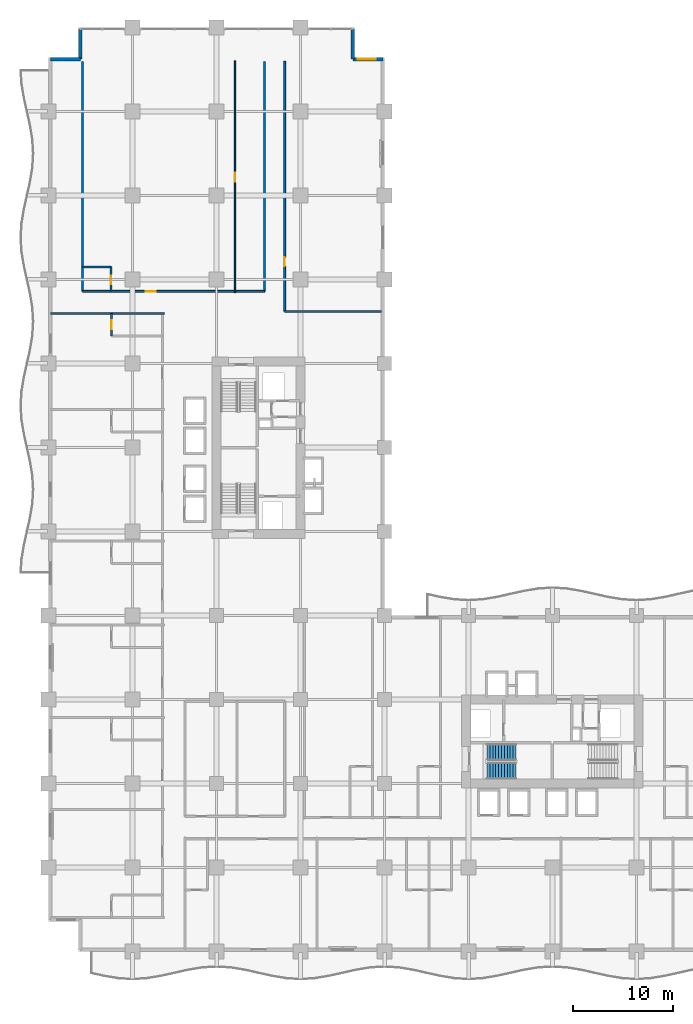
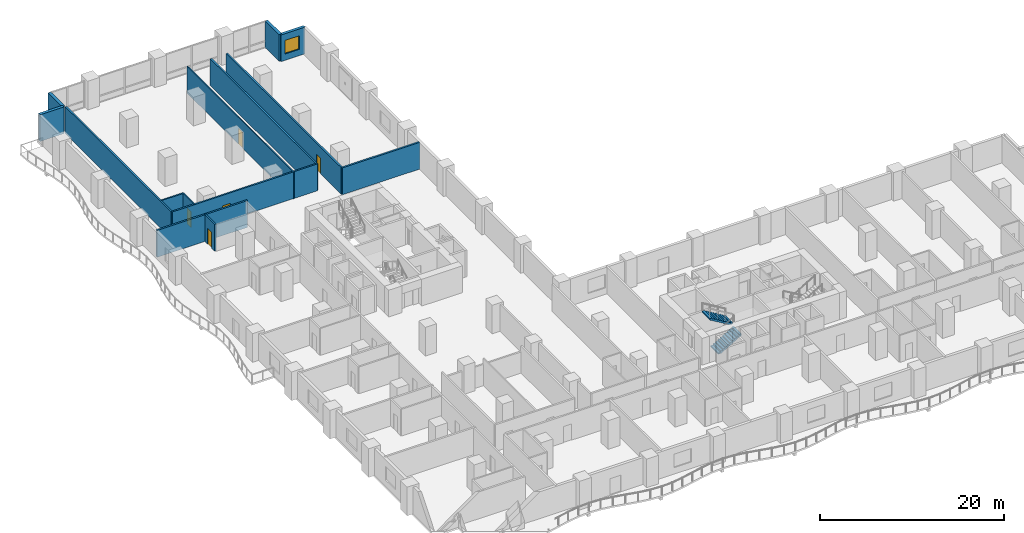
# One storey, part 16 of 24: 14 walls, 5 doors, 2 stair flights, 1 window, 6 openings, 1 element without a shape of its own.
"""IFC4 building model written with IfcOpenShell, lengths in metres."""

from ifc_helpers import new_model, si_unit, direction, frame, frame_2d, origin, place, context, subcontext, project, spatial, polyline, rectangle, outline, extrude, material, layer, layer_set, type_object, element, fill, aggregate, save


model = new_model("IFC4")

# Units and contexts
model_context = context("Model", 3, precision=1e-05, world=origin(), true_north=direction((0.0, 1.0)))
body_context = subcontext(model_context, "Body", "Model", "MODEL_VIEW")
ifc_project = project(units=[si_unit("LENGTHUNIT", "METRE"), si_unit("AREAUNIT", "SQUARE_METRE"), si_unit("VOLUMEUNIT", "CUBIC_METRE"), si_unit("PLANEANGLEUNIT", "RADIAN"), si_unit("MASSUNIT", "GRAM", prefix="KILO")], contexts=[model_context])

# Site, building, storey
site_placement = place(None, origin())
site = spatial("IfcSite", under=ifc_project, at=site_placement, CompositionType="ELEMENT")
building_placement = place(site_placement, origin())
building = spatial("IfcBuilding", under=site, at=building_placement, Name="Koriwani Terraces Tower", CompositionType="ELEMENT")
storey_placement = place(building_placement, frame((0.0, 0.0, 47.199951171875)))
storey = spatial("IfcBuildingStorey", under=building, at=storey_placement, Name="L10", CompositionType="ELEMENT", Elevation=47.199951171875)

# Wall, opening, door
ifc_material_1 = material(Name="Autoclaved Cellular Concrete Blockwork", Category="masonry")
ifc_layer_1 = layer(ifc_material_1, 0.199951171875, Name="Autoclaved Cellular Concrete Blockwork")
ifc_layer_set_1 = layer_set([ifc_layer_1], Name="Autoclaved Cellular Concrete Blockwork")
wall_type_1 = type_object("IfcWallType", Name="WALL_CORRIDOR_200", PredefinedType="PARTITIONING", material=ifc_layer_set_1)
wall_1_placement = place(storey_placement, frame((3.39990234375, 66.0, 0.0), z_axis=(0.0, 0.0, 1.0), x_axis=(1.0, 0.0, 0.0)))
wall_1 = element("IfcWall", 1, at=wall_1_placement, inside=storey, type_object=wall_type_1, Name="L10 Interior Wall WGB-L10-NTIP-S", PredefinedType="PARTITIONING", context=body_context, shape_type="SweptSolid", body=[
    extrude(rectangle(XDim=18.2001953125, YDim=0.199951171875, at=frame_2d((9.10009765625, 0.0))), origin(), (0.0, 0.0, 1.0), 3.550048828125),
])
opening_1_placement = place(wall_1_placement, frame((6.300048828125, 0.0, 0.0)))
opening_1 = element("IfcOpeningElement", 2, at=opening_1_placement, cuts=wall_1, Name="Opening D-05", PredefinedType="OPENING", context=body_context, shape_type="SweptSolid", body=[
    extrude(rectangle(XDim=1.0, YDim=2.14990234375, at=frame_2d((0.5, 1.074951171875))), frame((0.0, 0.10986328125, 0.0), z_axis=(0.0, -1.0, 0.0), x_axis=(1.0, 0.0, 0.0)), (0.0, 0.0, 1.0), 0.219970703125),
])
ifc_material_2 = material(Name="Architectural Oak Fire Door", Category="wood")
door_type_1 = type_object("IfcDoorType", Name="DOOR_SUITE_ENTRY_1000X2150", OperationType="NOTDEFINED", PredefinedType="DOOR", material=ifc_material_2)
door_1_placement = place(opening_1_placement, origin())
door_1 = element("IfcDoor", 3, at=door_1_placement, inside=storey, type_object=door_type_1, Name="Presidential Wing Suite 10N Entrance Door", OperationType="SINGLE_SWING_RIGHT", OverallHeight=2.14990234375, OverallWidth=1.0, PredefinedType="DOOR", context=body_context, shape_type="SweptSolid", body=[
    extrude(rectangle(XDim=1.0, YDim=2.14990234375, at=frame_2d((0.5, 1.074951171875))), frame((0.0, 0.02490234375, 0.0), z_axis=(0.0, -1.0, 0.0), x_axis=(1.0, 0.0, 0.0)), (0.0, 0.0, 1.0), 0.050048828125),
])
fill(opening_1, door_1)

wall_2_placement = place(storey_placement, frame((23.60009765625, 64.0, 0.0), z_axis=(0.0, 0.0, 1.0), x_axis=(0.0, 1.0, 0.0)))
wall_2 = element("IfcWall", 4, at=wall_2_placement, inside=storey, type_object=wall_type_1, Name="L10 Interior Wall WNTIP2-W-L10", PredefinedType="PARTITIONING", context=body_context, shape_type="SweptSolid", body=[
    extrude(rectangle(XDim=25.0, YDim=0.199951171875, at=frame_2d((12.5, 0.0))), origin(), (0.0, 0.0, 1.0), 3.550048828125),
])
opening_2_placement = place(wall_2_placement, frame((4.5, 0.0, 0.0)))
opening_2 = element("IfcOpeningElement", 5, at=opening_2_placement, cuts=wall_2, Name="Opening D-06", PredefinedType="OPENING", context=body_context, shape_type="SweptSolid", body=[
    extrude(rectangle(XDim=0.919921875, YDim=2.10009765625, at=frame_2d((0.4599609375, 1.050048828125))), frame((0.0, 0.10986328125, 0.0), z_axis=(0.0, -1.0, 0.0), x_axis=(1.0, 0.0, 0.0)), (0.0, 0.0, 1.0), 0.219970703125),
])
door_type_2 = type_object("IfcDoorType", Name="DOOR_ROOM_INT_920X2100", OperationType="NOTDEFINED", PredefinedType="DOOR", material=ifc_material_2)
door_2_placement = place(opening_2_placement, origin())
door_2 = element("IfcDoor", 6, at=door_2_placement, inside=storey, type_object=door_type_2, Name="L10 North Panorama Salon Door", OperationType="SINGLE_SWING_LEFT", OverallHeight=2.10009765625, OverallWidth=0.919921875, PredefinedType="DOOR", context=body_context, shape_type="SweptSolid", body=[
    extrude(rectangle(XDim=0.919921875, YDim=2.10009765625, at=frame_2d((0.4599609375, 1.050048828125))), frame((0.0, 0.02490234375, 0.0), z_axis=(0.0, -1.0, 0.0), x_axis=(1.0, 0.0, 0.0)), (0.0, 0.0, 1.0), 0.050048828125),
])
fill(opening_2, door_2)

# Walls
ifc_layer_2 = layer(ifc_material_1, 0.219970703125, Name="Autoclaved Cellular Concrete Blockwork")
ifc_layer_set_2 = layer_set([ifc_layer_2], Name="Autoclaved Cellular Concrete Blockwork")
wall_type_2 = type_object("IfcWallType", Name="WALL_DEMISING_220", PredefinedType="PARTITIONING", material=ifc_layer_set_2)
wall_3_placement = place(storey_placement, frame((0.199951171875, 63.800048828125, 0.0), z_axis=(0.0, 0.0, 1.0), x_axis=(1.0, 0.0, 0.0)))
element("IfcWall", 7, at=wall_3_placement, inside=storey, type_object=wall_type_2, Name="L10 Interior Wall WDEME-L10-NW", PredefinedType="PARTITIONING", context=body_context, shape_type="SweptSolid", body=[
    extrude(rectangle(XDim=11.380126953125, YDim=0.219970703125, at=frame_2d((5.68994140625, 0.0))), origin(), (0.0, 0.0, 1.0), 3.550048828125),
])
for number, where, z_axis, x_axis, name in (
    (8, (21.60009765625, 66.0, 0.0), (0.0, 0.0, 1.0), (0.0, 1.0, 0.0), "L10 Interior Wall WGB-L10-NTIP-E"),
    (9, (3.39990234375, 66.0, 0.0), (0.0, 0.0, 1.0), (0.0, 1.0, 0.0), "L10 Interior Wall WGB-L10-NTIP-W"),
):
    element("IfcWall", number, at=place(storey_placement, frame(where, z_axis=z_axis, x_axis=x_axis)), inside=storey, type_object=wall_type_2, Name=name, PredefinedType="PARTITIONING", context=body_context, shape_type="SweptSolid", body=[
        extrude(rectangle(XDim=23.0, YDim=0.219970703125, at=frame_2d((11.5, 0.0))), origin(), (0.0, 0.0, 1.0), 3.550048828125),
    ])
wall_4_placement = place(storey_placement, frame((23.60009765625, 64.0, 0.0), z_axis=(0.0, 0.0, 1.0), x_axis=(1.0, 0.0, 0.0)))
element("IfcWall", 10, at=wall_4_placement, inside=storey, type_object=wall_type_2, Name="L10 Interior Wall WNTIP2-S-L10", PredefinedType="PARTITIONING", context=body_context, shape_type="SweptSolid", body=[
    extrude(rectangle(XDim=9.699951171875, YDim=0.219970703125, at=frame_2d((4.85009765625, 0.0))), origin(), (0.0, 0.0, 1.0), 3.550048828125),
])
ifc_material_3 = material(Name="Concrete C50/60", Category="concrete")
ifc_layer_3 = layer(ifc_material_3, 0.35009765625, Name="Concrete C50/60")
ifc_layer_set_3 = layer_set([ifc_layer_3], Name="Concrete C50/60")
wall_type_3 = type_object("IfcWallType", Name="WALL_EXT_BRUTALIST_350", PredefinedType="STANDARD", material=ifc_layer_set_3)
for number, where, z_axis, x_axis, name in (
    (11, (0.175048828125, 89.22509765625, 0.0), (0.0, 0.0, 1.0), (1.0, 0.0, 0.0), "L10 Fair-Faced Brutalist Exterior Wall (N3)"),
    (12, (3.175048828125, 89.22509765625, 0.0), (0.0, 0.0, 1.0), (0.0, 1.0, 0.0), "L10 Fair-Faced Brutalist Exterior Wall (N4)"),
    (13, (30.425048828125, 92.22509765625, 0.0), (0.0, 0.0, 1.0), (0.0, -1.0, 0.0), "L10 Fair-Faced Brutalist Exterior Wall (N6)"),
):
    element("IfcWall", number, at=place(storey_placement, frame(where, z_axis=z_axis, x_axis=x_axis)), inside=storey, type_object=wall_type_3, Name=name, PredefinedType="STANDARD", context=body_context, shape_type="SweptSolid", body=[
        extrude(rectangle(XDim=3.0, YDim=0.35009765625, at=frame_2d((1.5, 0.0))), origin(), (0.0, 0.0, 1.0), 3.550048828125),
    ])

# Wall, opening, window
wall_5_placement = place(storey_placement, frame((30.425048828125, 89.22509765625, 0.0), z_axis=(0.0, 0.0, 1.0), x_axis=(1.0, 0.0, 0.0)))
wall_5 = element("IfcWall", 14, at=wall_5_placement, inside=storey, type_object=wall_type_3, Name="L10 Fair-Faced Brutalist Exterior Wall (N7)", PredefinedType="STANDARD", context=body_context, shape_type="SweptSolid", body=[
    extrude(rectangle(XDim=3.0, YDim=0.35009765625, at=frame_2d((1.5, 0.0))), origin(), (0.0, 0.0, 1.0), 3.550048828125),
])
opening_3_placement = place(wall_5_placement, frame((0.487548828125, 0.0, 0.85009765625)))
opening_3 = element("IfcOpeningElement", 15, at=opening_3_placement, cuts=wall_5, Name="Opening W-04", PredefinedType="OPENING", context=body_context, shape_type="SweptSolid", body=[
    extrude(rectangle(XDim=1.800048828125, YDim=1.800048828125, at=frame_2d((0.89990234375, 0.89990234375))), frame((0.0, 0.18505859375, 0.0), z_axis=(0.0, -1.0, 0.0), x_axis=(1.0, 0.0, 0.0)), (0.0, 0.0, 1.0), 0.3701171875),
])
ifc_material_4 = material(Name="Tempered Laminated Low-E Glass", Category="glass")
window_type = type_object("IfcWindowType", Name="WIN_RES_BED_1800X1800", PartitioningType="DOUBLE_PANEL_VERTICAL", PredefinedType="WINDOW", material=ifc_material_4)
window_placement = place(opening_3_placement, origin())
window = element("IfcWindow", 16, at=window_placement, inside=storey, type_object=window_type, Name="L10 Exterior Window (N7-R64)", OverallHeight=1.800048828125, OverallWidth=1.800048828125, PartitioningType="SINGLE_PANEL", PredefinedType="WINDOW", context=body_context, shape_type="SweptSolid", body=[
    extrude(rectangle(XDim=1.800048828125, YDim=1.800048828125, at=frame_2d((0.89990234375, 0.89990234375))), frame((0.0, 0.030029296875, 0.0), z_axis=(0.0, -1.0, 0.0), x_axis=(1.0, 0.0, 0.0)), (0.0, 0.0, 1.0), 0.06005859375),
])
fill(opening_3, window)

# Wall, opening, door
ifc_material_5 = material(Name="Fire-Rated Acoustic Gypsum Partition", Category="masonry")
ifc_layer_4 = layer(ifc_material_5, 0.125, Name="Fire-Rated Acoustic Gypsum Partition")
ifc_layer_set_4 = layer_set([ifc_layer_4], Name="Fire-Rated Acoustic Gypsum Partition")
wall_type_4 = type_object("IfcWallType", Name="WALL_INT_125", PredefinedType="PARTITIONING", material=ifc_layer_set_4)
wall_6_placement = place(storey_placement, frame((18.64990234375, 65.85009765625, 0.0), z_axis=(0.0, 0.0, 1.0), x_axis=(0.0, 1.0, 0.0)))
wall_6 = element("IfcWall", 17, at=wall_6_placement, inside=storey, type_object=wall_type_4, Name="L10 Interior Wall WGB-L10-NTIP-BD", PredefinedType="PARTITIONING", context=body_context, shape_type="SweptSolid", body=[
    extrude(rectangle(XDim=23.199951171875, YDim=0.125, at=frame_2d((11.60009765625, 0.0))), origin(), (0.0, 0.0, 1.0), 3.550048828125),
])
opening_4_placement = place(wall_6_placement, frame((11.10009765625, 0.0, 0.0)))
opening_4 = element("IfcOpeningElement", 18, at=opening_4_placement, cuts=wall_6, Name="Opening D-06", PredefinedType="OPENING", context=body_context, shape_type="SweptSolid", body=[
    extrude(rectangle(XDim=0.919921875, YDim=2.10009765625, at=frame_2d((0.4599609375, 1.050048828125))), frame((0.0, 0.072509765625, 0.0), z_axis=(0.0, -1.0, 0.0), x_axis=(1.0, 0.0, 0.0)), (0.0, 0.0, 1.0), 0.14501953125),
])
door_3_placement = place(opening_4_placement, origin())
door_3 = element("IfcDoor", 19, at=door_3_placement, inside=storey, type_object=door_type_2, Name="Presidential Wing Suite 10N Master Suite Door", OperationType="SINGLE_SWING_RIGHT", OverallHeight=2.10009765625, OverallWidth=0.919921875, PredefinedType="DOOR", context=body_context, shape_type="SweptSolid", body=[
    extrude(rectangle(XDim=0.919921875, YDim=2.10009765625, at=frame_2d((0.4599609375, 1.050048828125))), frame((0.0, 0.02490234375, 0.0), z_axis=(0.0, -1.0, 0.0), x_axis=(1.0, 0.0, 0.0)), (0.0, 0.0, 1.0), 0.050048828125),
])
fill(opening_4, door_3)

ifc_layer_5 = layer(ifc_material_5, 0.179931640625, Name="Fire-Rated Acoustic Gypsum Partition")
ifc_layer_set_5 = layer_set([ifc_layer_5], Name="Fire-Rated Acoustic Gypsum Partition")
wall_type_5 = type_object("IfcWallType", Name="WALL_PLUMBING_180", PredefinedType="PLUMBINGWALL", material=ifc_layer_set_5)
wall_7_placement = place(storey_placement, frame((6.300048828125, 61.550048828125, 0.0), z_axis=(0.0, 0.0, 1.0), x_axis=(0.0, 1.0, 0.0)))
wall_7 = element("IfcWall", 20, at=wall_7_placement, inside=storey, type_object=wall_type_5, Name="L10 Interior Wall WBTH1-L10-NW-5", PredefinedType="PLUMBINGWALL", context=body_context, shape_type="SweptSolid", body=[
    extrude(rectangle(XDim=2.25, YDim=0.179931640625, at=frame_2d((1.125, 0.0))), origin(), (0.0, 0.0, 1.0), 3.550048828125),
])
opening_5_placement = place(wall_7_placement, frame((0.675048828125, 0.0, 0.0)))
opening_5 = element("IfcOpeningElement", 21, at=opening_5_placement, cuts=wall_7, Name="Opening D-07", PredefinedType="OPENING", context=body_context, shape_type="SweptSolid", body=[
    extrude(rectangle(XDim=0.89990234375, YDim=2.10009765625, at=frame_2d((0.449951171875, 1.050048828125))), frame((0.0, 0.10009765625, 0.0), z_axis=(0.0, -1.0, 0.0), x_axis=(1.0, 0.0, 0.0)), (0.0, 0.0, 1.0), 0.199951171875),
])
door_type_3 = type_object("IfcDoorType", Name="DOOR_BATH_INT_900X2100", OperationType="NOTDEFINED", PredefinedType="DOOR", material=ifc_material_2)
door_4_placement = place(opening_5_placement, origin())
door_4 = element("IfcDoor", 22, at=door_4_placement, inside=storey, type_object=door_type_3, Name="En-Suite Bathroom 10NW6 Door", OperationType="SINGLE_SWING_LEFT", OverallHeight=2.10009765625, OverallWidth=0.89990234375, PredefinedType="DOOR", context=body_context, shape_type="SweptSolid", body=[
    extrude(rectangle(XDim=0.89990234375, YDim=2.10009765625, at=frame_2d((0.449951171875, 1.050048828125))), frame((0.0, 0.02490234375, 0.0), z_axis=(0.0, -1.0, 0.0), x_axis=(1.0, 0.0, 0.0)), (0.0, 0.0, 1.0), 0.050048828125),
])
fill(opening_5, door_4)

wall_8_placement = place(storey_placement, frame((6.25, 66.050048828125, 0.0), z_axis=(0.0, 0.0, 1.0), x_axis=(0.0, 1.0, 0.0)))
wall_8 = element("IfcWall", 23, at=wall_8_placement, inside=storey, type_object=wall_type_5, Name="L10 Interior Wall WGB-L10-NTIP-SVB", PredefinedType="PLUMBINGWALL", context=body_context, shape_type="SweptSolid", body=[
    extrude(rectangle(XDim=2.39990234375, YDim=0.179931640625, at=frame_2d((1.199951171875, 0.0))), origin(), (0.0, 0.0, 1.0), 3.550048828125),
])
opening_6_placement = place(wall_8_placement, frame((0.64990234375, 0.0, 0.0)))
opening_6 = element("IfcOpeningElement", 24, at=opening_6_placement, cuts=wall_8, Name="Opening D-07", PredefinedType="OPENING", context=body_context, shape_type="SweptSolid", body=[
    extrude(rectangle(XDim=0.89990234375, YDim=2.10009765625, at=frame_2d((0.449951171875, 1.050048828125))), frame((0.0, 0.10009765625, 0.0), z_axis=(0.0, -1.0, 0.0), x_axis=(1.0, 0.0, 0.0)), (0.0, 0.0, 1.0), 0.199951171875),
])
door_5_placement = place(opening_6_placement, origin())
door_5 = element("IfcDoor", 25, at=door_5_placement, inside=storey, type_object=door_type_3, Name="Presidential Wing Suite 10N Bathroom Door", OperationType="SINGLE_SWING_LEFT", OverallHeight=2.10009765625, OverallWidth=0.89990234375, PredefinedType="DOOR", context=body_context, shape_type="SweptSolid", body=[
    extrude(rectangle(XDim=0.89990234375, YDim=2.10009765625, at=frame_2d((0.449951171875, 1.050048828125))), frame((0.0, 0.02490234375, 0.0), z_axis=(0.0, -1.0, 0.0), x_axis=(1.0, 0.0, 0.0)), (0.0, 0.0, 1.0), 0.050048828125),
])
fill(opening_6, door_5)

# Wall
wall_9_placement = place(storey_placement, frame((3.449951171875, 68.449951171875, 0.0), z_axis=(0.0, 0.0, 1.0), x_axis=(1.0, 0.0, 0.0)))
element("IfcWall", 26, at=wall_9_placement, inside=storey, type_object=wall_type_5, Name="L10 Interior Wall WGB-L10-NTIP-SV2", PredefinedType="PLUMBINGWALL", context=body_context, shape_type="SweptSolid", body=[
    extrude(rectangle(XDim=2.800048828125, YDim=0.179931640625, at=frame_2d((1.39990234375, 0.0))), origin(), (0.0, 0.0, 1.0), 3.550048828125),
])

# Stair, stair flights
ifc_material_6 = material(Name="Concrete C40/50", Category="concrete")
stair_type = type_object("IfcStairType", Name="STAIR_CORE_DOGLEG_1650", PredefinedType="TWO_STRAIGHT_RUN_STAIR", material=ifc_material_6)
stair_placement = place(storey_placement, origin())
stair = element("IfcStair", 27, at=stair_placement, inside=storey, type_object=stair_type, Name="L10 East Core Exit Stair 1", PredefinedType="HALF_TURN_STAIR")
stair_flight_type = type_object("IfcStairFlightType", Name="STAIR_FLIGHT_RC_1650", PredefinedType="STRAIGHT", material=ifc_material_6)
stair_flight_1_placement = place(storey_placement, frame((43.85009765625, 18.074951171875, 0.0), z_axis=(0.0, 0.0, 1.0), x_axis=(1.0, 0.0, 0.0)))
stair_flight_1 = element("IfcStairFlight", 28, at=stair_flight_1_placement, type_object=stair_flight_type, Name="ST-E1 flight 1", NumberOfRisers=11, NumberOfTreads=10, PredefinedType="STRAIGHT", RiserHeight=0.172727273, TreadLength=0.29, context=body_context, shape_type="SweptSolid", body=[
    extrude(outline(polyline([(0.0, 0.0), (0.0, 0.172607421875), (0.2900390625, 0.172607421875), (0.2900390625, 0.345458984375), (0.580078125, 0.345458984375), (0.580078125, 0.51806640625), (0.8701171875, 0.51806640625), (0.8701171875, 0.69091796875), (1.159912109375, 0.69091796875), (1.159912109375, 0.863525390625), (1.449951171875, 0.863525390625), (1.449951171875, 1.036376953125), (1.739990234375, 1.036376953125), (1.739990234375, 1.208984375), (2.030029296875, 1.208984375), (2.030029296875, 1.3818359375), (2.320068359375, 1.3818359375), (2.320068359375, 1.554443359375), (2.610107421875, 1.554443359375), (2.610107421875, 1.727294921875), (2.89990234375, 1.727294921875), (2.89990234375, 1.89990234375), (2.89990234375, 1.517822265625), (0.3515625, 0.0), (0.0, 0.0)])), frame((0.0, 0.824951171875, 0.0), z_axis=(0.0, -1.0, 0.0), x_axis=(1.0, 0.0, 0.0)), (0.0, 0.0, 1.0), 1.64990234375),
])
stair_flight_2_placement = place(storey_placement, frame((46.75, 19.925048828125, 1.900146484375), z_axis=(0.0, 0.0, 1.0), x_axis=(-1.0, 0.0, 0.0)))
stair_flight_2 = element("IfcStairFlight", 29, at=stair_flight_2_placement, type_object=stair_flight_type, Name="ST-E1 flight 2", NumberOfRisers=11, NumberOfTreads=10, PredefinedType="STRAIGHT", RiserHeight=0.172727273, TreadLength=0.29, context=body_context, shape_type="SweptSolid", body=[
    extrude(outline(polyline([(0.0, 0.0), (0.0, 0.172607421875), (0.2900390625, 0.172607421875), (0.2900390625, 0.345458984375), (0.580078125, 0.345458984375), (0.580078125, 0.51806640625), (0.8701171875, 0.51806640625), (0.8701171875, 0.69091796875), (1.159912109375, 0.69091796875), (1.159912109375, 0.863525390625), (1.449951171875, 0.863525390625), (1.449951171875, 1.036376953125), (1.739990234375, 1.036376953125), (1.739990234375, 1.208984375), (2.030029296875, 1.208984375), (2.030029296875, 1.3818359375), (2.320068359375, 1.3818359375), (2.320068359375, 1.554443359375), (2.610107421875, 1.554443359375), (2.610107421875, 1.727294921875), (2.89990234375, 1.727294921875), (2.89990234375, 1.89990234375), (2.89990234375, 1.517822265625), (0.3515625, 0.0), (0.0, 0.0)])), frame((0.0, 0.824951171875, 0.0), z_axis=(0.0, -1.0, 0.0), x_axis=(1.0, 0.0, 0.0)), (0.0, 0.0, 1.0), 1.64990234375),
])
aggregate(stair, [stair_flight_1, stair_flight_2])

save(model, "model.ifc")
